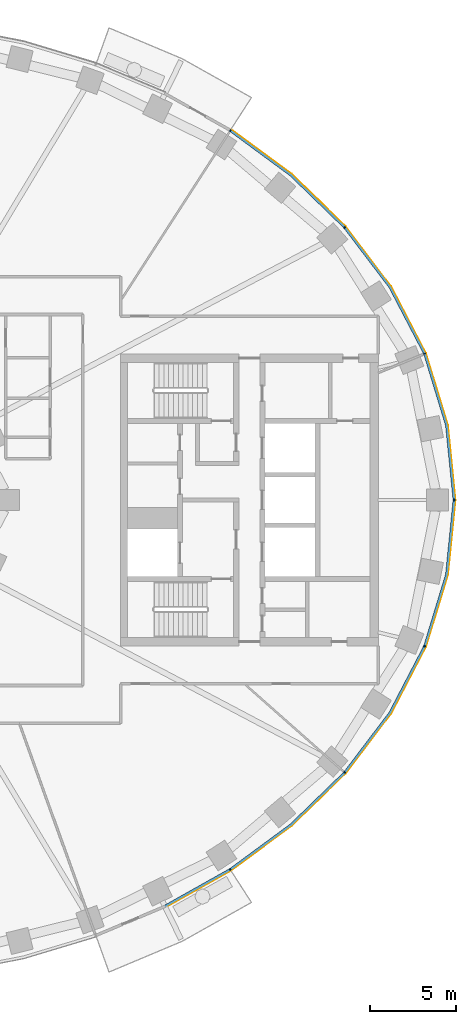
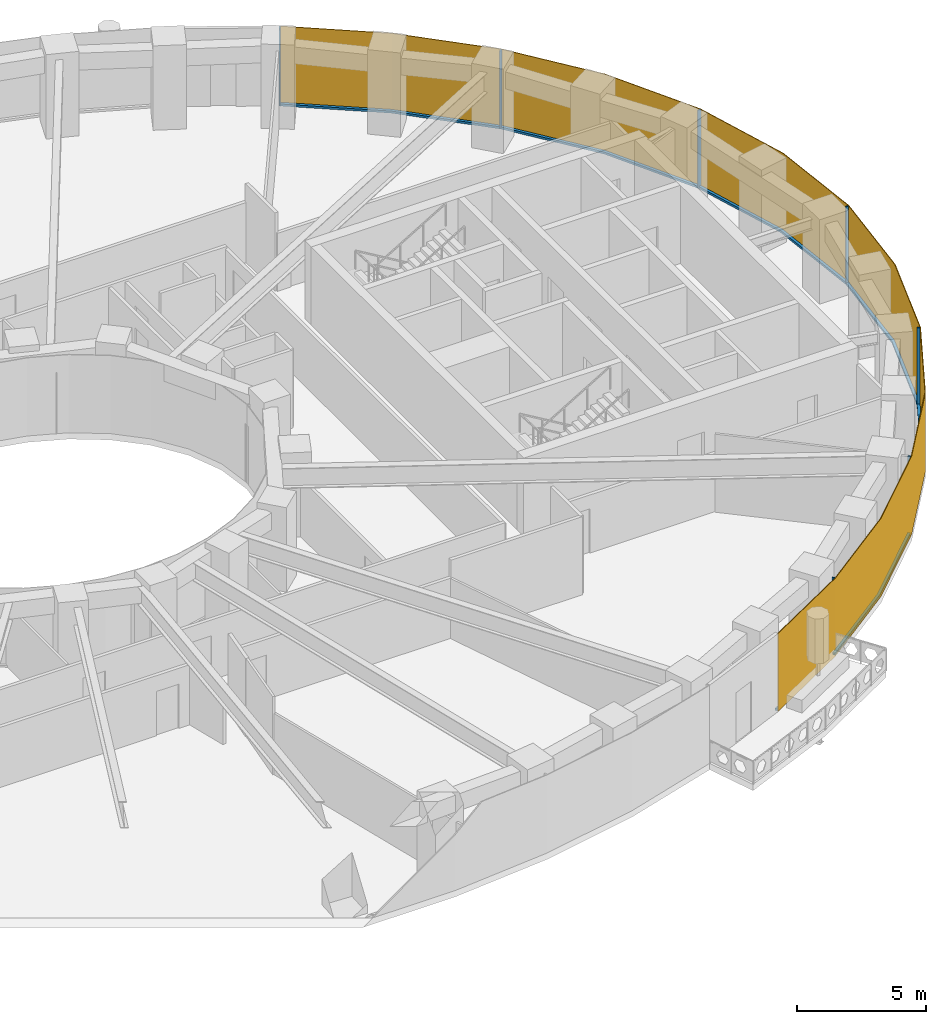
# One storey, part 11 of 15: 14 members, 1 curtain wall.
"""IFC4 building model written with IfcOpenShell, lengths in metres."""

from ifc_helpers import new_model, si_unit, direction, frame, origin, origin_2d, place, context, subcontext, project, spatial, polyline, rectangle, outline, extrude, material, layer, layer_set, material_profile, profile_set, type_object, element, aggregate, save


model = new_model("IFC4")

# Units and contexts
model_context = context("Model", 3, precision=1e-05, world=origin(), true_north=direction((0.0, 1.0)))
body_context = subcontext(model_context, "Body", "Model", "MODEL_VIEW")
ifc_project = project(units=[si_unit("LENGTHUNIT", "METRE"), si_unit("AREAUNIT", "SQUARE_METRE"), si_unit("VOLUMEUNIT", "CUBIC_METRE"), si_unit("PLANEANGLEUNIT", "RADIAN"), si_unit("MASSUNIT", "GRAM", prefix="KILO")], contexts=[model_context])

# Member
ifc_material_1 = material(Name="Aluminium 6063-T6 black anodised", Category="aluminium")
ifc_material_profile = material_profile(ifc_material_1, rectangle(XDim=0.1201171875, YDim=0.06005859375, at=origin_2d()), Name="120x60")
ifc_profile_set = profile_set([ifc_material_profile], Name="Aluminium 6063-T6 black anodised")
member_type_1 = type_object("IfcMemberType", Name="ENV-MULLION-A-120", PredefinedType="MULLION", material=ifc_profile_set)
site_placement = place(None, origin())
building_placement = place(site_placement, origin())
storey_placement = place(building_placement, frame((0.0, 0.0, 104.0)))
member_1_placement = place(storey_placement, frame((22.882568359375, -21.506591796875, 0.0), z_axis=(0.0, 0.0, 1.0), x_axis=(-0.542279153225, 0.840198381323, 0.0)))
member_1 = element("IfcMember", 1, at=member_1_placement, type_object=member_type_1, Name="Mullion A radial 41", PredefinedType="MULLION", context=body_context, shape_type="SweptSolid", body=[
    extrude(rectangle(XDim=0.1201171875, YDim=0.06005859375, at=origin_2d()), origin(), (0.0, 0.0, 1.0), 3.699951171875),
])

member_2_placement = place(storey_placement, frame((29.53857421875, -15.8671875, 0.0), z_axis=(0.0, 0.0, 1.0), x_axis=(-0.749047221705, 0.662516610853, 0.0)))
member_2 = element("IfcMember", 2, at=member_2_placement, type_object=member_type_1, Name="Mullion A radial 43", PredefinedType="MULLION", context=body_context, shape_type="SweptSolid", body=[
    extrude(rectangle(XDim=0.1201171875, YDim=0.06005859375, at=origin_2d()), origin(), (0.0, 0.0, 1.0), 3.699951171875),
])

member_3_placement = place(storey_placement, frame((34.19580078125, -8.513916015625, 0.0), z_axis=(0.0, 0.0, 1.0), x_axis=(-0.92546738067, 0.378827305398, 0.0)))
member_3 = element("IfcMember", 3, at=member_3_placement, type_object=member_type_1, Name="Mullion A radial 45", PredefinedType="MULLION", context=body_context, shape_type="SweptSolid", body=[
    extrude(rectangle(XDim=0.1201171875, YDim=0.06005859375, at=origin_2d()), origin(), (0.0, 0.0, 1.0), 3.699951171875),
])

member_4_placement = place(storey_placement, frame((35.907958984375, 0.0, 0.0), z_axis=(0.0, 0.0, 1.0), x_axis=(-1.0, 0.0, 0.0)))
member_4 = element("IfcMember", 4, at=member_4_placement, type_object=member_type_1, Name="Mullion A radial 01", PredefinedType="MULLION", context=body_context, shape_type="SweptSolid", body=[
    extrude(rectangle(XDim=0.1201171875, YDim=0.06005859375, at=origin_2d()), origin(), (0.0, 0.0, 1.0), 3.699951171875),
])

member_5_placement = place(storey_placement, frame((34.19580078125, 8.513916015625, 0.0), z_axis=(0.0, 0.0, 1.0), x_axis=(-0.92546738067, -0.378827305398, 0.0)))
member_5 = element("IfcMember", 5, at=member_5_placement, type_object=member_type_1, Name="Mullion A radial 03", PredefinedType="MULLION", context=body_context, shape_type="SweptSolid", body=[
    extrude(rectangle(XDim=0.1201171875, YDim=0.06005859375, at=origin_2d()), origin(), (0.0, 0.0, 1.0), 3.699951171875),
])

member_6_placement = place(storey_placement, frame((29.53857421875, 15.8671875, 0.0), z_axis=(0.0, 0.0, 1.0), x_axis=(-0.749047221705, -0.662516610853, 0.0)))
member_6 = element("IfcMember", 6, at=member_6_placement, type_object=member_type_1, Name="Mullion A radial 05", PredefinedType="MULLION", context=body_context, shape_type="SweptSolid", body=[
    extrude(rectangle(XDim=0.1201171875, YDim=0.06005859375, at=origin_2d()), origin(), (0.0, 0.0, 1.0), 3.699951171875),
])

member_7_placement = place(storey_placement, frame((22.882568359375, 21.506591796875, 0.0), z_axis=(0.0, 0.0, 1.0), x_axis=(-0.542279153225, -0.840198381323, 0.0)))
member_7 = element("IfcMember", 7, at=member_7_placement, type_object=member_type_1, Name="Mullion A radial 07", PredefinedType="MULLION", context=body_context, shape_type="SweptSolid", body=[
    extrude(rectangle(XDim=0.1201171875, YDim=0.06005859375, at=origin_2d()), origin(), (0.0, 0.0, 1.0), 3.699951171875),
])

ifc_material_2 = material(Name="Aluminium 6063-T6 black anodised", Category="aluminium")
member_type_2 = type_object("IfcMemberType", Name="ENV-TRANSOM-A", PredefinedType="USERDEFINED", material=ifc_material_2)
member_8_placement = place(storey_placement, origin())
member_8 = element("IfcMember", 8, at=member_8_placement, type_object=member_type_2, Name="Transom A radial 40-41", ObjectType="TRANSOM", PredefinedType="USERDEFINED", context=body_context, shape_type="SweptSolid", body=[
    extrude(outline(polyline([(19.111572265625, -23.691650390625), (22.890625, -21.570556640625), (22.825439453125, -21.469482421875), (19.058837890625, -23.58349609375), (19.111572265625, -23.691650390625)])), origin(), (0.0, 0.0, 1.0), 0.10009765625),
])

member_9_placement = place(storey_placement, origin())
member_9 = element("IfcMember", 9, at=member_9_placement, type_object=member_type_2, Name="Transom A radial 41-43", ObjectType="TRANSOM", PredefinedType="USERDEFINED", context=body_context, shape_type="SweptSolid", body=[
    extrude(outline(polyline([(22.937744140625, -21.540283203125), (26.4423828125, -18.958740234375), (29.5634765625, -15.926513671875), (29.473388671875, -15.8466796875), (26.364501953125, -18.866943359375), (22.87255859375, -21.439208984375), (22.937744140625, -21.540283203125)])), origin(), (0.0, 0.0, 1.0), 0.10009765625),
])

member_10_placement = place(storey_placement, origin())
member_10 = element("IfcMember", 10, at=member_10_placement, type_object=member_type_2, Name="Transom A radial 43-45", ObjectType="TRANSOM", PredefinedType="USERDEFINED", context=body_context, shape_type="SweptSolid", body=[
    extrude(outline(polyline([(29.6005859375, -15.884521484375), (32.22802734375, -12.41748046875), (34.23828125, -8.5615234375), (34.126708984375, -8.515869140625), (32.126220703125, -12.35302734375), (29.51025390625, -15.8046875), (29.6005859375, -15.884521484375)])), origin(), (0.0, 0.0, 1.0), 0.10009765625),
])

member_11_placement = place(storey_placement, origin())
member_11 = element("IfcMember", 11, at=member_11_placement, type_object=member_type_2, Name="Transom A radial 45-01", ObjectType="TRANSOM", PredefinedType="USERDEFINED", context=body_context, shape_type="SweptSolid", body=[
    extrude(outline(polyline([(34.259521484375, -8.509765625), (35.529541015625, -4.352294921875), (35.965087890625, -0.02783203125), (35.844482421875, -0.02783203125), (35.411376953125, -4.32861328125), (34.14794921875, -8.464111328125), (34.259521484375, -8.509765625)])), origin(), (0.0, 0.0, 1.0), 0.10009765625),
])

member_12_placement = place(storey_placement, origin())
member_12 = element("IfcMember", 12, at=member_12_placement, type_object=member_type_2, Name="Transom A radial 01-03", ObjectType="TRANSOM", PredefinedType="USERDEFINED", context=body_context, shape_type="SweptSolid", body=[
    extrude(outline(polyline([(35.965087890625, 0.02783203125), (35.529541015625, 4.352294921875), (34.259521484375, 8.509765625), (34.14794921875, 8.464111328125), (35.411376953125, 4.32861328125), (35.844482421875, 0.02783203125), (35.965087890625, 0.02783203125)])), origin(), (0.0, 0.0, 1.0), 0.10009765625),
])

member_13_placement = place(storey_placement, origin())
member_13 = element("IfcMember", 13, at=member_13_placement, type_object=member_type_2, Name="Transom A radial 03-05", ObjectType="TRANSOM", PredefinedType="USERDEFINED", context=body_context, shape_type="SweptSolid", body=[
    extrude(outline(polyline([(34.23828125, 8.5615234375), (32.22802734375, 12.41748046875), (29.6005859375, 15.884521484375), (29.51025390625, 15.8046875), (32.126220703125, 12.35302734375), (34.126708984375, 8.515869140625), (34.23828125, 8.5615234375)])), origin(), (0.0, 0.0, 1.0), 0.10009765625),
])

member_14_placement = place(storey_placement, origin())
member_14 = element("IfcMember", 14, at=member_14_placement, type_object=member_type_2, Name="Transom A radial 05-07", ObjectType="TRANSOM", PredefinedType="USERDEFINED", context=body_context, shape_type="SweptSolid", body=[
    extrude(outline(polyline([(29.5634765625, 15.926513671875), (26.4423828125, 18.958740234375), (22.937744140625, 21.540283203125), (22.87255859375, 21.439208984375), (26.364501953125, 18.866943359375), (29.473388671875, 15.8466796875), (29.5634765625, 15.926513671875)])), origin(), (0.0, 0.0, 1.0), 0.10009765625),
])

# Site, building, storey
site = spatial("IfcSite", under=ifc_project, at=site_placement, CompositionType="ELEMENT")
building = spatial("IfcBuilding", under=site, at=building_placement, Name="Noorbagh Ring Tower", CompositionType="ELEMENT")
storey = spatial("IfcBuildingStorey", under=building, at=storey_placement, Name="L23", CompositionType="ELEMENT", Elevation=104.0)

# Curtain wall
ifc_material_3 = material(Name="Glass dark tinted laminated", Category="glass")
ifc_layer = layer(ifc_material_3, 0.031982421875)
ifc_layer_set = layer_set([ifc_layer], Name="Glass dark tinted laminated")
curtain_wall_type = type_object("IfcCurtainWallType", Name="ENV-CW-A", PredefinedType="NOTDEFINED", material=ifc_layer_set)
curtain_wall_placement = place(storey_placement, origin())
curtain_wall = element("IfcCurtainWall", 15, at=curtain_wall_placement, inside=storey, type_object=curtain_wall_type, Name="Curtain wall A R40", PredefinedType="NOTDEFINED", context=body_context, shape_type="SweptSolid", body=[
    extrude(outline(polyline([(19.125732421875, -23.720458984375), (22.9326171875, -21.583740234375), (26.463134765625, -18.9833984375), (29.607666015625, -15.927978515625), (32.255126953125, -12.434814453125), (34.281005859375, -8.548828125), (35.561279296875, -4.358642578125), (36.0, 0.0), (35.561279296875, 4.358642578125), (34.281005859375, 8.548828125), (32.255126953125, 12.434814453125), (29.607666015625, 15.927978515625), (26.463134765625, 18.9833984375), (22.948486328125, 21.572021484375), (22.931396484375, 21.544921875), (26.4423828125, 18.958740234375), (29.58349609375, 15.906982421875), (32.22802734375, 12.41748046875), (34.251220703125, 8.53662109375), (35.529541015625, 4.352294921875), (35.9677734375, 0.0), (35.529541015625, -4.352294921875), (34.251220703125, -8.53662109375), (32.22802734375, -12.41748046875), (29.58349609375, -15.906982421875), (26.4423828125, -18.958740234375), (22.9150390625, -21.556884765625), (19.111572265625, -23.691650390625), (19.125732421875, -23.720458984375)])), origin(), (0.0, 0.0, 1.0), 3.699951171875),
])

aggregate(curtain_wall, [member_1, member_2, member_3, member_4, member_5, member_6, member_7, member_8, member_9, member_10, member_11, member_12, member_13, member_14])

save(model, "model.ifc")
